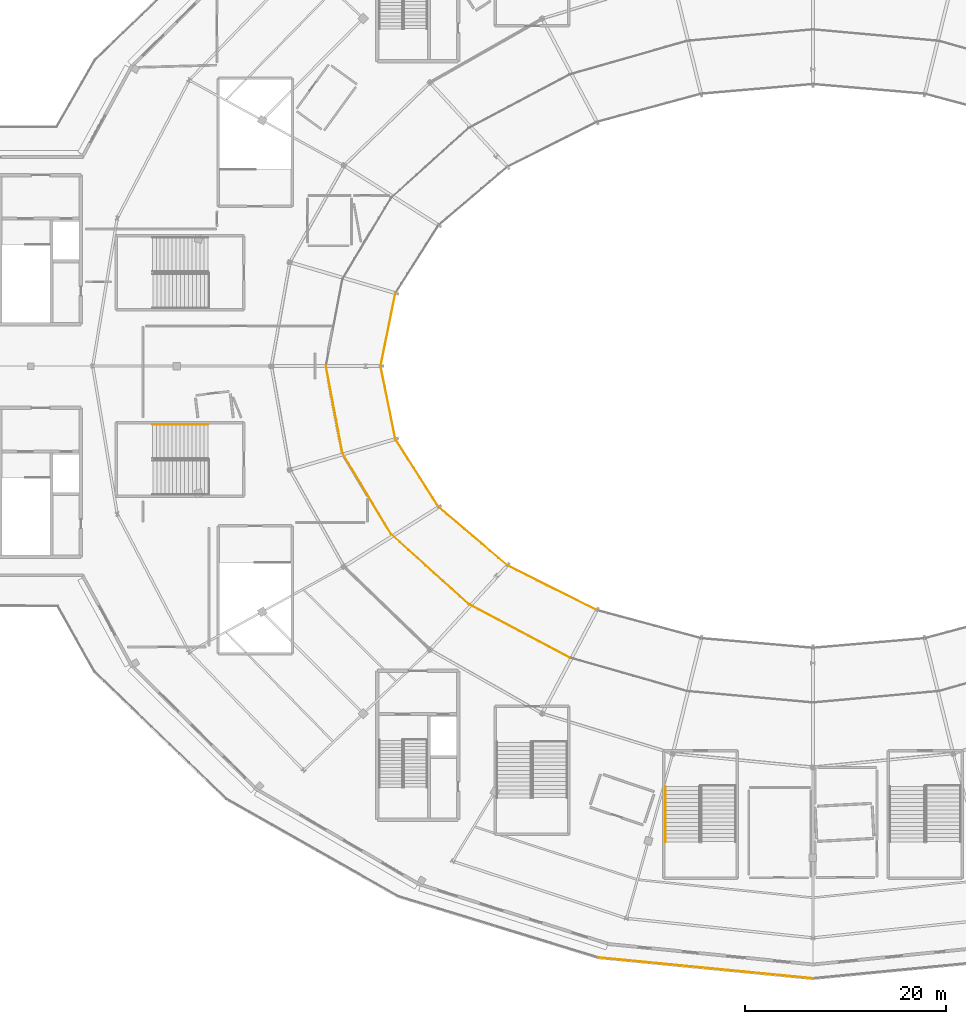
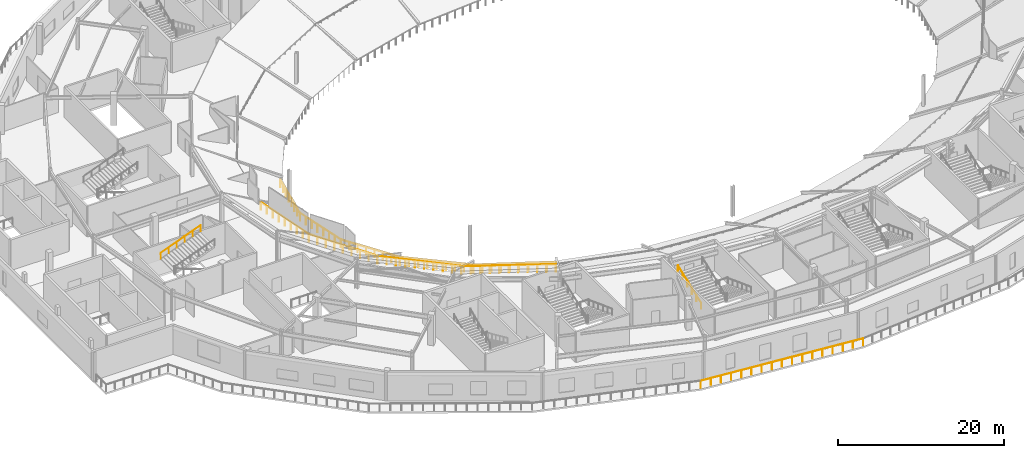
# One storey, part 48 of 63: 12 railings.
"""IFC4 building model written with IfcOpenShell, lengths in metres."""

from ifc_helpers import new_model, si_unit, direction, frame, origin, origin_2d, place, context, subcontext, project, spatial, circle, extrude, material, type_object, element, save


model = new_model("IFC4")

# Units and contexts
model_context = context("Model", 3, precision=1e-05, world=origin(), true_north=direction((0.0, 1.0)))
body_context = subcontext(model_context, "Body", "Model", "MODEL_VIEW")
ifc_project = project(units=[si_unit("LENGTHUNIT", "METRE"), si_unit("AREAUNIT", "SQUARE_METRE"), si_unit("VOLUMEUNIT", "CUBIC_METRE"), si_unit("PLANEANGLEUNIT", "RADIAN"), si_unit("MASSUNIT", "GRAM", prefix="KILO")], contexts=[model_context])

# Site, building, storey
site_placement = place(None, origin())
site = spatial("IfcSite", under=ifc_project, at=site_placement, CompositionType="ELEMENT")
building_placement = place(site_placement, origin())
building = spatial("IfcBuilding", under=site, at=building_placement, Name="Kalgoora Escarpment Arena", CompositionType="ELEMENT")
storey_placement = place(building_placement, frame((0.0, 0.0, 14.39990234375)))
storey = spatial("IfcBuildingStorey", under=building, at=storey_placement, Name="L03", CompositionType="ELEMENT", Elevation=14.39990234375)

# Railings
ifc_material_1 = material(Name="Galvanised & powdercoated tubular steel", Category="steel")
railing_type_1 = type_object("IfcRailingType", Name="RAL-GUARD-1120", PredefinedType="GUARDRAIL", material=ifc_material_1)
railing_1_placement = place(storey_placement, frame((43.85009765625, 64.0, 0.0)))
element("IfcRailing", 1, at=railing_1_placement, inside=storey, type_object=railing_type_1, Name="L03 concourse bowl balustrade 13", PredefinedType="GUARDRAIL", context=body_context, shape_type="SweptSolid", body=[
    extrude(circle(Radius=0.02392578125, at=origin_2d()), frame((0.0, 0.0, 1.09619140625), z_axis=(0.187147644058, -0.982331796962, 0.0), x_axis=(0.982331796962, 0.187147644058, 0.0)), (0.0, 0.0, 1.0), 8.839599609375),
    extrude(circle(Radius=0.02099609375, at=origin_2d()), origin(), (0.0, 0.0, 1.0), 1.072021484375),
    extrude(circle(Radius=0.02099609375, at=origin_2d()), frame((0.206787109375, -1.08544921875, 0.0)), (0.0, 0.0, 1.0), 1.072021484375),
    extrude(circle(Radius=0.02099609375, at=origin_2d()), frame((0.41357421875, -2.1708984375, 0.0)), (0.0, 0.0, 1.0), 1.072021484375),
    extrude(circle(Radius=0.02099609375, at=origin_2d()), frame((0.620361328125, -3.25634765625, 0.0)), (0.0, 0.0, 1.0), 1.072021484375),
    extrude(circle(Radius=0.02099609375, at=origin_2d()), frame((0.8271484375, -4.341796875, 0.0)), (0.0, 0.0, 1.0), 1.072021484375),
    extrude(circle(Radius=0.02099609375, at=origin_2d()), frame((1.033935546875, -5.427001953125, 0.0)), (0.0, 0.0, 1.0), 1.072021484375),
    extrude(circle(Radius=0.02099609375, at=origin_2d()), frame((1.24072265625, -6.512451171875, 0.0)), (0.0, 0.0, 1.0), 1.072021484375),
    extrude(circle(Radius=0.02099609375, at=origin_2d()), frame((1.447509765625, -7.597900390625, 0.0)), (0.0, 0.0, 1.0), 1.072021484375),
    extrude(circle(Radius=0.02099609375, at=origin_2d()), frame((1.654296875, -8.683349609375, 0.0)), (0.0, 0.0, 1.0), 1.072021484375),
])
railing_2_placement = place(storey_placement, frame((45.50439453125, 55.316650390625, 0.0)))
element("IfcRailing", 2, at=railing_2_placement, inside=storey, type_object=railing_type_1, Name="L03 concourse bowl balustrade 14", PredefinedType="GUARDRAIL", context=body_context, shape_type="SweptSolid", body=[
    extrude(circle(Radius=0.02392578125, at=origin_2d()), frame((0.0, 0.0, 1.09619140625), z_axis=(0.514118933044, -0.857718906569, 0.0), x_axis=(0.857718906569, 0.514118933044, 0.0)), (0.0, 0.0, 1.0), 9.433837890625),
    extrude(circle(Radius=0.02099609375, at=origin_2d()), origin(), (0.0, 0.0, 1.0), 1.072021484375),
    extrude(circle(Radius=0.02099609375, at=origin_2d()), frame((0.606201171875, -1.011474609375, 0.0)), (0.0, 0.0, 1.0), 1.072021484375),
    extrude(circle(Radius=0.02099609375, at=origin_2d()), frame((1.21240234375, -2.02294921875, 0.0)), (0.0, 0.0, 1.0), 1.072021484375),
    extrude(circle(Radius=0.02099609375, at=origin_2d()), frame((1.81884765625, -3.034423828125, 0.0)), (0.0, 0.0, 1.0), 1.072021484375),
    extrude(circle(Radius=0.02099609375, at=origin_2d()), frame((2.425048828125, -4.0458984375, 0.0)), (0.0, 0.0, 1.0), 1.072021484375),
    extrude(circle(Radius=0.02099609375, at=origin_2d()), frame((3.03125, -5.05712890625, 0.0)), (0.0, 0.0, 1.0), 1.072021484375),
    extrude(circle(Radius=0.02099609375, at=origin_2d()), frame((3.6376953125, -6.068603515625, 0.0)), (0.0, 0.0, 1.0), 1.072021484375),
    extrude(circle(Radius=0.02099609375, at=origin_2d()), frame((4.243896484375, -7.080078125, 0.0)), (0.0, 0.0, 1.0), 1.072021484375),
    extrude(circle(Radius=0.02099609375, at=origin_2d()), frame((4.85009765625, -8.091552734375, 0.0)), (0.0, 0.0, 1.0), 1.072021484375),
])
railing_3_placement = place(storey_placement, frame((50.3544921875, 47.22509765625, 0.0)))
element("IfcRailing", 3, at=railing_3_placement, inside=storey, type_object=railing_type_1, Name="L03 concourse bowl balustrade 15", PredefinedType="GUARDRAIL", context=body_context, shape_type="SweptSolid", body=[
    extrude(circle(Radius=0.02392578125, at=origin_2d()), frame((0.0, 0.0, 1.09619140625), z_axis=(0.743080153263, -0.66920242515, 0.0), x_axis=(0.66920242515, 0.743080153263, 0.0)), (0.0, 0.0, 1.0), 10.38330078125),
    extrude(circle(Radius=0.02099609375, at=origin_2d()), origin(), (0.0, 0.0, 1.0), 1.072021484375),
    extrude(circle(Radius=0.02099609375, at=origin_2d()), frame((0.857177734375, -0.77197265625, 0.0)), (0.0, 0.0, 1.0), 1.072021484375),
    extrude(circle(Radius=0.02099609375, at=origin_2d()), frame((1.714599609375, -1.544189453125, 0.0)), (0.0, 0.0, 1.0), 1.072021484375),
    extrude(circle(Radius=0.02099609375, at=origin_2d()), frame((2.57177734375, -2.316162109375, 0.0)), (0.0, 0.0, 1.0), 1.072021484375),
    extrude(circle(Radius=0.02099609375, at=origin_2d()), frame((3.42919921875, -3.088134765625, 0.0)), (0.0, 0.0, 1.0), 1.072021484375),
    extrude(circle(Radius=0.02099609375, at=origin_2d()), frame((4.286376953125, -3.8603515625, 0.0)), (0.0, 0.0, 1.0), 1.072021484375),
    extrude(circle(Radius=0.02099609375, at=origin_2d()), frame((5.143798828125, -4.63232421875, 0.0)), (0.0, 0.0, 1.0), 1.072021484375),
    extrude(circle(Radius=0.02099609375, at=origin_2d()), frame((6.0009765625, -5.404296875, 0.0)), (0.0, 0.0, 1.0), 1.072021484375),
    extrude(circle(Radius=0.02099609375, at=origin_2d()), frame((6.8583984375, -6.176513671875, 0.0)), (0.0, 0.0, 1.0), 1.072021484375),
    extrude(circle(Radius=0.02099609375, at=origin_2d()), frame((7.715576171875, -6.948486328125, 0.0)), (0.0, 0.0, 1.0), 1.072021484375),
])
railing_4_placement = place(storey_placement, frame((58.070068359375, 40.276611328125, 0.0)))
element("IfcRailing", 4, at=railing_4_placement, inside=storey, type_object=railing_type_1, Name="L03 concourse bowl balustrade 16", PredefinedType="GUARDRAIL", context=body_context, shape_type="SweptSolid", body=[
    extrude(circle(Radius=0.02392578125, at=origin_2d()), frame((0.0, 0.0, 1.09619140625), z_axis=(0.883475688989, -0.468477007936, 0.0), x_axis=(0.468477007936, 0.883475688989, 0.0)), (0.0, 0.0, 1.0), 11.381103515625),
    extrude(circle(Radius=0.02099609375, at=origin_2d()), origin(), (0.0, 0.0, 1.0), 1.072021484375),
    extrude(circle(Radius=0.02099609375, at=origin_2d()), frame((1.00537109375, -0.533203125, 0.0)), (0.0, 0.0, 1.0), 1.072021484375),
    extrude(circle(Radius=0.02099609375, at=origin_2d()), frame((2.010986328125, -1.06640625, 0.0)), (0.0, 0.0, 1.0), 1.072021484375),
    extrude(circle(Radius=0.02099609375, at=origin_2d()), frame((3.0166015625, -1.599609375, 0.0)), (0.0, 0.0, 1.0), 1.072021484375),
    extrude(circle(Radius=0.02099609375, at=origin_2d()), frame((4.02197265625, -2.1328125, 0.0)), (0.0, 0.0, 1.0), 1.072021484375),
    extrude(circle(Radius=0.02099609375, at=origin_2d()), frame((5.02734375, -2.666015625, 0.0)), (0.0, 0.0, 1.0), 1.072021484375),
    extrude(circle(Radius=0.02099609375, at=origin_2d()), frame((6.032958984375, -3.198974609375, 0.0)), (0.0, 0.0, 1.0), 1.072021484375),
    extrude(circle(Radius=0.02099609375, at=origin_2d()), frame((7.038330078125, -3.732177734375, 0.0)), (0.0, 0.0, 1.0), 1.072021484375),
    extrude(circle(Radius=0.02099609375, at=origin_2d()), frame((8.0439453125, -4.265380859375, 0.0)), (0.0, 0.0, 1.0), 1.072021484375),
    extrude(circle(Radius=0.02099609375, at=origin_2d()), frame((9.04931640625, -4.798583984375, 0.0)), (0.0, 0.0, 1.0), 1.072021484375),
    extrude(circle(Radius=0.02099609375, at=origin_2d()), frame((10.054931640625, -5.331787109375, 0.0)), (0.0, 0.0, 1.0), 1.072021484375),
])
railing_5_placement = place(storey_placement, frame((50.7685546875, 71.272705078125, -3.5)))
element("IfcRailing", 5, at=railing_5_placement, inside=storey, type_object=railing_type_1, Name="Upper tier cantilevered front guard 12", PredefinedType="GUARDRAIL", context=body_context, shape_type="SweptSolid", body=[
    extrude(circle(Radius=0.02392578125, at=origin_2d()), frame((0.0, 0.0, 1.09619140625), z_axis=(-0.197925594583, -0.980217046888, 0.0), x_axis=(0.980217046888, -0.197925594583, 0.0)), (0.0, 0.0, 1.0), 7.41943359375),
    extrude(circle(Radius=0.02099609375, at=origin_2d()), origin(), (0.0, 0.0, 1.0), 1.072021484375),
    extrude(circle(Radius=0.02099609375, at=origin_2d()), frame((-0.209716796875, -1.0390625, 0.0)), (0.0, 0.0, 1.0), 1.072021484375),
    extrude(circle(Radius=0.02099609375, at=origin_2d()), frame((-0.419677734375, -2.077880859375, 0.0)), (0.0, 0.0, 1.0), 1.072021484375),
    extrude(circle(Radius=0.02099609375, at=origin_2d()), frame((-0.62939453125, -3.116943359375, 0.0)), (0.0, 0.0, 1.0), 1.072021484375),
    extrude(circle(Radius=0.02099609375, at=origin_2d()), frame((-0.839111328125, -4.15576171875, 0.0)), (0.0, 0.0, 1.0), 1.072021484375),
    extrude(circle(Radius=0.02099609375, at=origin_2d()), frame((-1.048828125, -5.19482421875, 0.0)), (0.0, 0.0, 1.0), 1.072021484375),
    extrude(circle(Radius=0.02099609375, at=origin_2d()), frame((-1.2587890625, -6.233642578125, 0.0)), (0.0, 0.0, 1.0), 1.072021484375),
    extrude(circle(Radius=0.02099609375, at=origin_2d()), frame((-1.468505859375, -7.272705078125, 0.0)), (0.0, 0.0, 1.0), 1.072021484375),
])
railing_6_placement = place(storey_placement, frame((49.300048828125, 64.0, -3.5)))
element("IfcRailing", 6, at=railing_6_placement, inside=storey, type_object=railing_type_1, Name="Upper tier cantilevered front guard 13", PredefinedType="GUARDRAIL", context=body_context, shape_type="SweptSolid", body=[
    extrude(circle(Radius=0.02392578125, at=origin_2d()), frame((0.0, 0.0, 1.09619140625), z_axis=(0.197925594583, -0.980217046888, 0.0), x_axis=(0.980217046888, 0.197925594583, 0.0)), (0.0, 0.0, 1.0), 7.41943359375),
    extrude(circle(Radius=0.02099609375, at=origin_2d()), origin(), (0.0, 0.0, 1.0), 1.072021484375),
    extrude(circle(Radius=0.02099609375, at=origin_2d()), frame((0.209716796875, -1.0390625, 0.0)), (0.0, 0.0, 1.0), 1.072021484375),
    extrude(circle(Radius=0.02099609375, at=origin_2d()), frame((0.419677734375, -2.077880859375, 0.0)), (0.0, 0.0, 1.0), 1.072021484375),
    extrude(circle(Radius=0.02099609375, at=origin_2d()), frame((0.62939453125, -3.116943359375, 0.0)), (0.0, 0.0, 1.0), 1.072021484375),
    extrude(circle(Radius=0.02099609375, at=origin_2d()), frame((0.839111328125, -4.15576171875, 0.0)), (0.0, 0.0, 1.0), 1.072021484375),
    extrude(circle(Radius=0.02099609375, at=origin_2d()), frame((1.048828125, -5.19482421875, 0.0)), (0.0, 0.0, 1.0), 1.072021484375),
    extrude(circle(Radius=0.02099609375, at=origin_2d()), frame((1.2587890625, -6.233642578125, 0.0)), (0.0, 0.0, 1.0), 1.072021484375),
    extrude(circle(Radius=0.02099609375, at=origin_2d()), frame((1.468505859375, -7.272705078125, 0.0)), (0.0, 0.0, 1.0), 1.072021484375),
])
railing_7_placement = place(storey_placement, frame((50.7685546875, 56.727294921875, -3.5)))
element("IfcRailing", 7, at=railing_7_placement, inside=storey, type_object=railing_type_1, Name="Upper tier cantilevered front guard 14", PredefinedType="GUARDRAIL", context=body_context, shape_type="SweptSolid", body=[
    extrude(circle(Radius=0.02392578125, at=origin_2d()), frame((0.0, 0.0, 1.09619140625), z_axis=(0.536237888863, -0.844066896963, 0.0), x_axis=(0.844066896963, 0.536237888863, 0.0)), (0.0, 0.0, 1.0), 8.029296875),
    extrude(circle(Radius=0.02099609375, at=origin_2d()), origin(), (0.0, 0.0, 1.0), 1.072021484375),
    extrude(circle(Radius=0.02099609375, at=origin_2d()), frame((0.614990234375, -0.96826171875, 0.0)), (0.0, 0.0, 1.0), 1.072021484375),
    extrude(circle(Radius=0.02099609375, at=origin_2d()), frame((1.230224609375, -1.936279296875, 0.0)), (0.0, 0.0, 1.0), 1.072021484375),
    extrude(circle(Radius=0.02099609375, at=origin_2d()), frame((1.84521484375, -2.904541015625, 0.0)), (0.0, 0.0, 1.0), 1.072021484375),
    extrude(circle(Radius=0.02099609375, at=origin_2d()), frame((2.46044921875, -3.872802734375, 0.0)), (0.0, 0.0, 1.0), 1.072021484375),
    extrude(circle(Radius=0.02099609375, at=origin_2d()), frame((3.075439453125, -4.841064453125, 0.0)), (0.0, 0.0, 1.0), 1.072021484375),
    extrude(circle(Radius=0.02099609375, at=origin_2d()), frame((3.690673828125, -5.80908203125, 0.0)), (0.0, 0.0, 1.0), 1.072021484375),
    extrude(circle(Radius=0.02099609375, at=origin_2d()), frame((4.3056640625, -6.77734375, 0.0)), (0.0, 0.0, 1.0), 1.072021484375),
])
railing_8_placement = place(storey_placement, frame((55.07421875, 49.949951171875, -3.5)))
element("IfcRailing", 8, at=railing_8_placement, inside=storey, type_object=railing_type_1, Name="Upper tier cantilevered front guard 15", PredefinedType="GUARDRAIL", context=body_context, shape_type="SweptSolid", body=[
    extrude(circle(Radius=0.02392578125, at=origin_2d()), frame((0.0, 0.0, 1.09619140625), z_axis=(0.762069994215, -0.647494651652, 0.0), x_axis=(0.647494651652, 0.762069994215, 0.0)), (0.0, 0.0, 1.0), 8.98779296875),
    extrude(circle(Radius=0.02099609375, at=origin_2d()), origin(), (0.0, 0.0, 1.0), 1.072021484375),
    extrude(circle(Radius=0.02099609375, at=origin_2d()), frame((0.856201171875, -0.7275390625, 0.0)), (0.0, 0.0, 1.0), 1.072021484375),
    extrude(circle(Radius=0.02099609375, at=origin_2d()), frame((1.71240234375, -1.454833984375, 0.0)), (0.0, 0.0, 1.0), 1.072021484375),
    extrude(circle(Radius=0.02099609375, at=origin_2d()), frame((2.568603515625, -2.182373046875, 0.0)), (0.0, 0.0, 1.0), 1.072021484375),
    extrude(circle(Radius=0.02099609375, at=origin_2d()), frame((3.4248046875, -2.90966796875, 0.0)), (0.0, 0.0, 1.0), 1.072021484375),
    extrude(circle(Radius=0.02099609375, at=origin_2d()), frame((4.28076171875, -3.63720703125, 0.0)), (0.0, 0.0, 1.0), 1.072021484375),
    extrude(circle(Radius=0.02099609375, at=origin_2d()), frame((5.136962890625, -4.36474609375, 0.0)), (0.0, 0.0, 1.0), 1.072021484375),
    extrude(circle(Radius=0.02099609375, at=origin_2d()), frame((5.9931640625, -5.092041015625, 0.0)), (0.0, 0.0, 1.0), 1.072021484375),
    extrude(circle(Radius=0.02099609375, at=origin_2d()), frame((6.849365234375, -5.819580078125, 0.0)), (0.0, 0.0, 1.0), 1.072021484375),
])
railing_9_placement = place(storey_placement, frame((61.923583984375, 44.13037109375, -3.5)))
element("IfcRailing", 9, at=railing_9_placement, inside=storey, type_object=railing_type_1, Name="Upper tier cantilevered front guard 16", PredefinedType="GUARDRAIL", context=body_context, shape_type="SweptSolid", body=[
    extrude(circle(Radius=0.02392578125, at=origin_2d()), frame((0.0, 0.0, 1.09619140625), z_axis=(0.894334223345, -0.447399482515, 0.0), x_axis=(0.447399482515, 0.894334223345, 0.0)), (0.0, 0.0, 1.0), 9.981201171875),
    extrude(circle(Radius=0.02099609375, at=origin_2d()), origin(), (0.0, 0.0, 1.0), 1.072021484375),
    extrude(circle(Radius=0.02099609375, at=origin_2d()), frame((0.991943359375, -0.49609375, 0.0)), (0.0, 0.0, 1.0), 1.072021484375),
    extrude(circle(Radius=0.02099609375, at=origin_2d()), frame((1.983642578125, -0.992431640625, 0.0)), (0.0, 0.0, 1.0), 1.072021484375),
    extrude(circle(Radius=0.02099609375, at=origin_2d()), frame((2.9755859375, -1.488525390625, 0.0)), (0.0, 0.0, 1.0), 1.072021484375),
    extrude(circle(Radius=0.02099609375, at=origin_2d()), frame((3.96728515625, -1.984619140625, 0.0)), (0.0, 0.0, 1.0), 1.072021484375),
    extrude(circle(Radius=0.02099609375, at=origin_2d()), frame((4.959228515625, -2.48095703125, 0.0)), (0.0, 0.0, 1.0), 1.072021484375),
    extrude(circle(Radius=0.02099609375, at=origin_2d()), frame((5.950927734375, -2.97705078125, 0.0)), (0.0, 0.0, 1.0), 1.072021484375),
    extrude(circle(Radius=0.02099609375, at=origin_2d()), frame((6.94287109375, -3.47314453125, 0.0)), (0.0, 0.0, 1.0), 1.072021484375),
    extrude(circle(Radius=0.02099609375, at=origin_2d()), frame((7.9345703125, -3.969482421875, 0.0)), (0.0, 0.0, 1.0), 1.072021484375),
    extrude(circle(Radius=0.02099609375, at=origin_2d()), frame((8.926513671875, -4.465576171875, 0.0)), (0.0, 0.0, 1.0), 1.072021484375),
])
ifc_material_2 = material(Name="Brushed stainless steel 316 handrail", Category="steel")
railing_type_2 = type_object("IfcRailingType", Name="RAL-HAND-920", PredefinedType="HANDRAIL", material=ifc_material_2)
railing_10_placement = place(storey_placement, frame((77.699951171875, 16.550048828125, 2.360107421875)))
element("IfcRailing", 10, at=railing_10_placement, inside=storey, type_object=railing_type_2, Name="ST14 L03 pitched stair handrail F2R", PredefinedType="HANDRAIL", context=body_context, shape_type="SweptSolid", body=[
    extrude(circle(Radius=0.02392578125, at=origin_2d()), frame((0.0, 0.0, 0.89599609375), z_axis=(0.0, 0.935492612948, 0.353346248203), x_axis=(-1.0, 0.0, 0.0)), (0.0, 0.0, 1.0), 5.943359375),
    extrude(circle(Radius=0.02099609375, at=origin_2d()), origin(), (0.0, 0.0, 1.0), 0.871826171875),
    extrude(circle(Radius=0.02099609375, at=origin_2d()), frame((0.0, 1.112060546875, 0.419921875)), (0.0, 0.0, 1.0), 0.871826171875),
    extrude(circle(Radius=0.02099609375, at=origin_2d()), frame((0.0, 2.22412109375, 0.840087890625)), (0.0, 0.0, 1.0), 0.871826171875),
    extrude(circle(Radius=0.02099609375, at=origin_2d()), frame((0.0, 3.3359375, 1.260009765625)), (0.0, 0.0, 1.0), 0.871826171875),
    extrude(circle(Radius=0.02099609375, at=origin_2d()), frame((0.0, 4.447998046875, 1.68017578125)), (0.0, 0.0, 1.0), 0.871826171875),
    extrude(circle(Radius=0.02099609375, at=origin_2d()), frame((0.0, 5.56005859375, 2.10009765625)), (0.0, 0.0, 1.0), 0.871826171875),
])
railing_11_placement = place(storey_placement, frame((26.550048828125, 58.199951171875, 2.360107421875)))
element("IfcRailing", 11, at=railing_11_placement, inside=storey, type_object=railing_type_2, Name="ST18 L03 pitched stair handrail F2R", PredefinedType="HANDRAIL", context=body_context, shape_type="SweptSolid", body=[
    extrude(circle(Radius=0.02392578125, at=origin_2d()), frame((0.0, 0.0, 0.89599609375), z_axis=(0.935492612948, 0.0, 0.353346248203), x_axis=(0.0, 1.0, 0.0)), (0.0, 0.0, 1.0), 5.943359375),
    extrude(circle(Radius=0.02099609375, at=origin_2d()), origin(), (0.0, 0.0, 1.0), 0.871826171875),
    extrude(circle(Radius=0.02099609375, at=origin_2d()), frame((1.112060546875, 0.0, 0.419921875)), (0.0, 0.0, 1.0), 0.871826171875),
    extrude(circle(Radius=0.02099609375, at=origin_2d()), frame((2.22412109375, 0.0, 0.840087890625)), (0.0, 0.0, 1.0), 0.871826171875),
    extrude(circle(Radius=0.02099609375, at=origin_2d()), frame((3.3359375, 0.0, 1.260009765625)), (0.0, 0.0, 1.0), 0.871826171875),
    extrude(circle(Radius=0.02099609375, at=origin_2d()), frame((4.447998046875, 0.0, 1.68017578125)), (0.0, 0.0, 1.0), 0.871826171875),
    extrude(circle(Radius=0.02099609375, at=origin_2d()), frame((5.56005859375, 0.0, 2.10009765625)), (0.0, 0.0, 1.0), 0.871826171875),
])
ifc_material_3 = material(Name="Champagne anodised aluminium & laminated glass", Category="aluminium")
railing_type_3 = type_object("IfcRailingType", Name="RAL-TERR-1100", PredefinedType="GUARDRAIL", material=ifc_material_3)
railing_12_placement = place(storey_placement, frame((92.39990234375, 2.960693359375, 0.0)))
element("IfcRailing", 12, at=railing_12_placement, inside=storey, type_object=railing_type_3, Name="Upper Planted Elliptical Garden Terrace perimeter guardrail 001", PredefinedType="GUARDRAIL", context=body_context, shape_type="SweptSolid", body=[
    extrude(circle(Radius=0.02392578125, at=origin_2d()), frame((0.0, 0.0, 1.09619140625), z_axis=(-0.995298879649, 0.096851123738, 0.0), x_axis=(-0.096851123738, -0.995298879649, 0.0)), (0.0, 0.0, 1.0), 21.499755859375),
    extrude(circle(Radius=0.02099609375, at=origin_2d()), origin(), (0.0, 0.0, 1.0), 1.072021484375),
    extrude(circle(Radius=0.02099609375, at=origin_2d()), frame((-1.33740234375, 0.130126953125, 0.0)), (0.0, 0.0, 1.0), 1.072021484375),
    extrude(circle(Radius=0.02099609375, at=origin_2d()), frame((-2.6748046875, 0.26025390625, 0.0)), (0.0, 0.0, 1.0), 1.072021484375),
    extrude(circle(Radius=0.02099609375, at=origin_2d()), frame((-4.01220703125, 0.390380859375, 0.0)), (0.0, 0.0, 1.0), 1.072021484375),
    extrude(circle(Radius=0.02099609375, at=origin_2d()), frame((-5.349609375, 0.5205078125, 0.0)), (0.0, 0.0, 1.0), 1.072021484375),
    extrude(circle(Radius=0.02099609375, at=origin_2d()), frame((-6.68701171875, 0.650634765625, 0.0)), (0.0, 0.0, 1.0), 1.072021484375),
    extrude(circle(Radius=0.02099609375, at=origin_2d()), frame((-8.0244140625, 0.78076171875, 0.0)), (0.0, 0.0, 1.0), 1.072021484375),
    extrude(circle(Radius=0.02099609375, at=origin_2d()), frame((-9.36181640625, 0.910888671875, 0.0)), (0.0, 0.0, 1.0), 1.072021484375),
    extrude(circle(Radius=0.02099609375, at=origin_2d()), frame((-10.69921875, 1.041015625, 0.0)), (0.0, 0.0, 1.0), 1.072021484375),
    extrude(circle(Radius=0.02099609375, at=origin_2d()), frame((-12.036865234375, 1.17138671875, 0.0)), (0.0, 0.0, 1.0), 1.072021484375),
    extrude(circle(Radius=0.02099609375, at=origin_2d()), frame((-13.374267578125, 1.301513671875, 0.0)), (0.0, 0.0, 1.0), 1.072021484375),
    extrude(circle(Radius=0.02099609375, at=origin_2d()), frame((-14.711669921875, 1.431640625, 0.0)), (0.0, 0.0, 1.0), 1.072021484375),
    extrude(circle(Radius=0.02099609375, at=origin_2d()), frame((-16.049072265625, 1.561767578125, 0.0)), (0.0, 0.0, 1.0), 1.072021484375),
    extrude(circle(Radius=0.02099609375, at=origin_2d()), frame((-17.386474609375, 1.69189453125, 0.0)), (0.0, 0.0, 1.0), 1.072021484375),
    extrude(circle(Radius=0.02099609375, at=origin_2d()), frame((-18.723876953125, 1.822021484375, 0.0)), (0.0, 0.0, 1.0), 1.072021484375),
    extrude(circle(Radius=0.02099609375, at=origin_2d()), frame((-20.061279296875, 1.9521484375, 0.0)), (0.0, 0.0, 1.0), 1.072021484375),
    extrude(circle(Radius=0.02099609375, at=origin_2d()), frame((-21.398681640625, 2.082275390625, 0.0)), (0.0, 0.0, 1.0), 1.072021484375),
])

save(model, "model.ifc")
